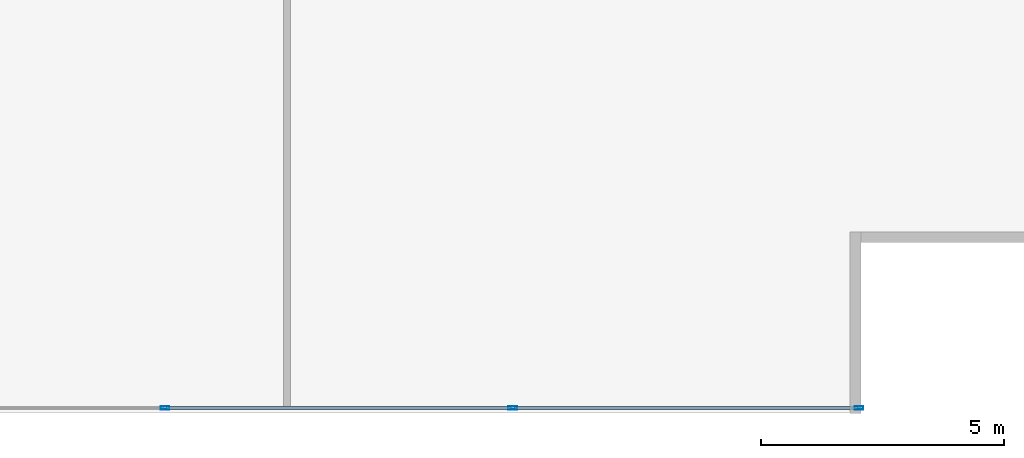
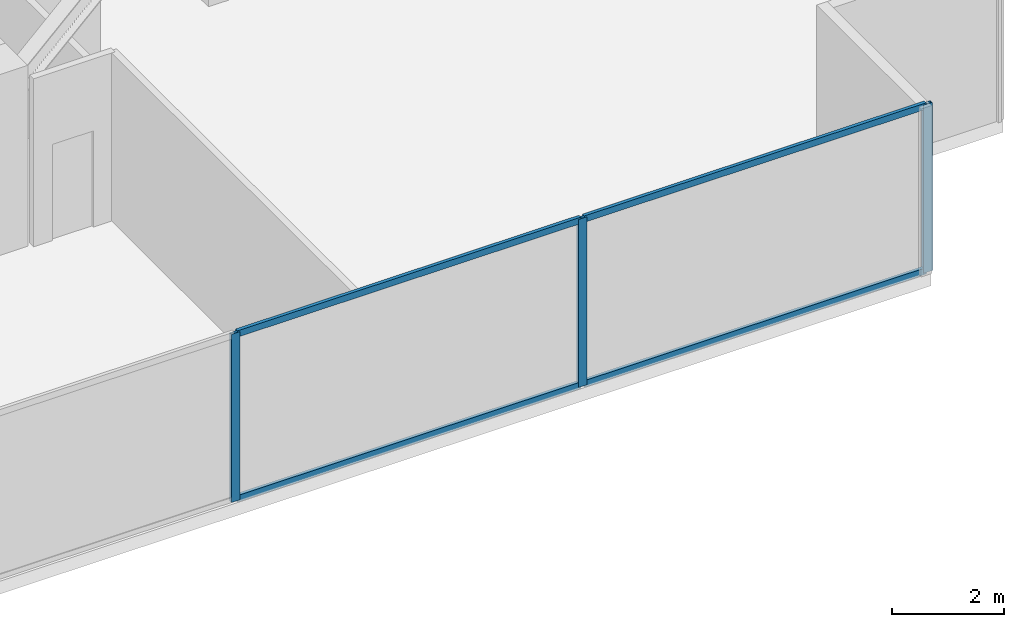
# One storey, part 10 of 28: 7 members, 1 element without a shape of its own.
"""IFC4 building model written with IfcOpenShell, lengths in metres."""

from ifc_helpers import new_model, si_unit, direction, frame, origin, origin_2d, place, context, subcontext, project, spatial, hollow_rectangle, extrude, source, transform, mapped, material, material_profile, profile_set, type_object, type_shapes, element, aggregate, save


model = new_model("IFC4")

# Units and contexts
model_context = context("Model", 3, precision=1e-05, world=origin(), true_north=direction((0.0, 1.0)))
body_context = subcontext(model_context, "Body", "Model", "MODEL_VIEW")
ifc_project = project(units=[si_unit("LENGTHUNIT", "METRE"), si_unit("AREAUNIT", "SQUARE_METRE"), si_unit("VOLUMEUNIT", "CUBIC_METRE"), si_unit("PLANEANGLEUNIT", "RADIAN"), si_unit("MASSUNIT", "GRAM", prefix="KILO")], contexts=[model_context])

# Site, building, storey
site_placement = place(None, origin())
site = spatial("IfcSite", under=ifc_project, at=site_placement, CompositionType="ELEMENT")
building_placement = place(site_placement, origin())
building = spatial("IfcBuilding", under=site, at=building_placement, Name="Krantzveldt Concourse Tower", CompositionType="ELEMENT")
storey_placement = place(building_placement, frame((0.0, 0.0, 28.949951171875)))
storey = spatial("IfcBuildingStorey", under=building, at=storey_placement, Name="L06", CompositionType="ELEMENT", Elevation=28.949951171875)

# Curtain wall, members
ifc_material = material(Name="Anodised aluminium 6063-T6", Category="aluminium")
curtain_wall_type = type_object("IfcCurtainWallType", Name="CW2", PredefinedType="USERDEFINED", material=ifc_material)
curtain_wall_placement = place(storey_placement, origin())
curtain_wall = element("IfcCurtainWall", 1, at=curtain_wall_placement, inside=storey, type_object=curtain_wall_type, Name="CW-L06-F04", ObjectType="UNITISED CURTAIN WALL", PredefinedType="USERDEFINED")
ifc_material_profile_1 = material_profile(ifc_material, hollow_rectangle(XDim=0.070068359375, YDim=0.139892578125, WallThickness=0.0048828125, at=origin_2d()), Name="Anodised aluminium 6063-T6", Category="aluminium")
ifc_profile_set_1 = profile_set([ifc_material_profile_1], Name="Anodised aluminium 6063-T6 - ALU-TRAN 140x70x5")
member_type_1 = type_object("IfcMemberType", Name="CW-TRN-150", PredefinedType="USERDEFINED", material=ifc_profile_set_1)
shared_shape_1 = source(origin(), body_context, "Body", "SweptSolid", [
    extrude(hollow_rectangle(XDim=0.070068359375, YDim=0.139892578125, WallThickness=0.0048828125, at=origin_2d()), origin(), (0.0, 0.0, 1.0), 7.0615234375),
])
member_1_placement = place(storey_placement, frame((50.368408203125, 1.7900390625, 0.03515625), z_axis=(1.0, 0.0, 0.0), x_axis=(0.0, 1.0, 0.0)))
member_1 = element("IfcMember", 2, at=member_1_placement, type_object=member_type_1, Name="CW-Z12 transom 6.1", ObjectType="TRANSOM", PredefinedType="USERDEFINED", context=body_context, shape_type="MappedRepresentation", body=[
    mapped(shared_shape_1, transform((0.0, 0.0, 0.0), x_axis=(1.0, 0.0, 0.0), y_axis=(0.0, 1.0, 0.0), z_axis=(0.0, 0.0, 1.0), scale=1.0)),
])
member_2_placement = place(storey_placement, frame((50.368408203125, 1.7900390625, 3.635009765625), z_axis=(1.0, 0.0, 0.0), x_axis=(0.0, 1.0, 0.0)))
member_2 = element("IfcMember", 3, at=member_2_placement, type_object=member_type_1, Name="CW-Z12 transom 6.2", ObjectType="TRANSOM", PredefinedType="USERDEFINED", context=body_context, shape_type="MappedRepresentation", body=[
    mapped(shared_shape_1, transform((0.0, 0.0, 0.0), x_axis=(1.0, 0.0, 0.0), y_axis=(0.0, 1.0, 0.0), z_axis=(0.0, 0.0, 1.0), scale=1.0)),
])
shared_shape_2 = source(origin(), body_context, "Body", "SweptSolid", [
    extrude(hollow_rectangle(XDim=0.070068359375, YDim=0.139892578125, WallThickness=0.0048828125, at=origin_2d()), origin(), (0.0, 0.0, 1.0), 7.0966796875),
])
type_shapes(member_type_1, [shared_shape_1, shared_shape_2])
member_3_placement = place(storey_placement, frame((43.20166015625, 1.7900390625, 0.03515625), z_axis=(1.0, 0.0, 0.0), x_axis=(0.0, 1.0, 0.0)))
member_3 = element("IfcMember", 4, at=member_3_placement, type_object=member_type_1, Name="CW-Z12 transom 5.1", ObjectType="TRANSOM", PredefinedType="USERDEFINED", context=body_context, shape_type="MappedRepresentation", body=[
    mapped(shared_shape_2, transform((0.0, 0.0, 0.0), x_axis=(1.0, 0.0, 0.0), y_axis=(0.0, 1.0, 0.0), z_axis=(0.0, 0.0, 1.0), scale=1.0)),
])
member_4_placement = place(storey_placement, frame((43.20166015625, 1.7900390625, 3.635009765625), z_axis=(1.0, 0.0, 0.0), x_axis=(0.0, 1.0, 0.0)))
member_4 = element("IfcMember", 5, at=member_4_placement, type_object=member_type_1, Name="CW-Z12 transom 5.2", ObjectType="TRANSOM", PredefinedType="USERDEFINED", context=body_context, shape_type="MappedRepresentation", body=[
    mapped(shared_shape_2, transform((0.0, 0.0, 0.0), x_axis=(1.0, 0.0, 0.0), y_axis=(0.0, 1.0, 0.0), z_axis=(0.0, 0.0, 1.0), scale=1.0)),
])
ifc_material_profile_2 = material_profile(ifc_material, hollow_rectangle(XDim=0.070068359375, YDim=0.179931640625, WallThickness=0.0048828125, at=origin_2d()), Name="Anodised aluminium 6063-T6", Category="aluminium")
ifc_profile_set_2 = profile_set([ifc_material_profile_2], Name="Anodised aluminium 6063-T6 - ALU-MULL 180x70x5")
member_type_2 = type_object("IfcMemberType", Name="CW-MUL-180", PredefinedType="MULLION", material=ifc_profile_set_2)
shared_shape_3 = source(origin(), body_context, "Body", "SweptSolid", [
    extrude(hollow_rectangle(XDim=0.070068359375, YDim=0.179931640625, WallThickness=0.0048828125, at=origin_2d()), origin(), (0.0, 0.0, 1.0), 3.670166015625),
])
type_shapes(member_type_2, [shared_shape_3])
member_5_placement = place(storey_placement, frame((43.166748046875, 1.7900390625, 0.0), z_axis=(0.0, 0.0, 1.0), x_axis=(0.0, 1.0, 0.0)))
member_5 = element("IfcMember", 6, at=member_5_placement, type_object=member_type_2, Name="CW-Z12 mullion 5", PredefinedType="MULLION", context=body_context, shape_type="MappedRepresentation", body=[
    mapped(shared_shape_3, transform((0.0, 0.0, 0.0), x_axis=(1.0, 0.0, 0.0), y_axis=(0.0, 1.0, 0.0), z_axis=(0.0, 0.0, 1.0), scale=1.0)),
])
member_6_placement = place(storey_placement, frame((50.333251953125, 1.7900390625, 0.0), z_axis=(0.0, 0.0, 1.0), x_axis=(0.0, 1.0, 0.0)))
member_6 = element("IfcMember", 7, at=member_6_placement, type_object=member_type_2, Name="CW-Z12 mullion 6", PredefinedType="MULLION", context=body_context, shape_type="MappedRepresentation", body=[
    mapped(shared_shape_3, transform((0.0, 0.0, 0.0), x_axis=(1.0, 0.0, 0.0), y_axis=(0.0, 1.0, 0.0), z_axis=(0.0, 0.0, 1.0), scale=1.0)),
])
member_7_placement = place(storey_placement, frame((57.465087890625, 1.7900390625, 0.0), z_axis=(0.0, 0.0, 1.0), x_axis=(0.0, 1.0, 0.0)))
member_7 = element("IfcMember", 8, at=member_7_placement, type_object=member_type_2, Name="CW-Z12 mullion 7", PredefinedType="MULLION", context=body_context, shape_type="MappedRepresentation", body=[
    mapped(shared_shape_3, transform((0.0, 0.0, 0.0), x_axis=(1.0, 0.0, 0.0), y_axis=(0.0, 1.0, 0.0), z_axis=(0.0, 0.0, 1.0), scale=1.0)),
])
aggregate(curtain_wall, [member_5, member_6, member_7, member_3, member_4, member_1, member_2])

save(model, "model.ifc")
